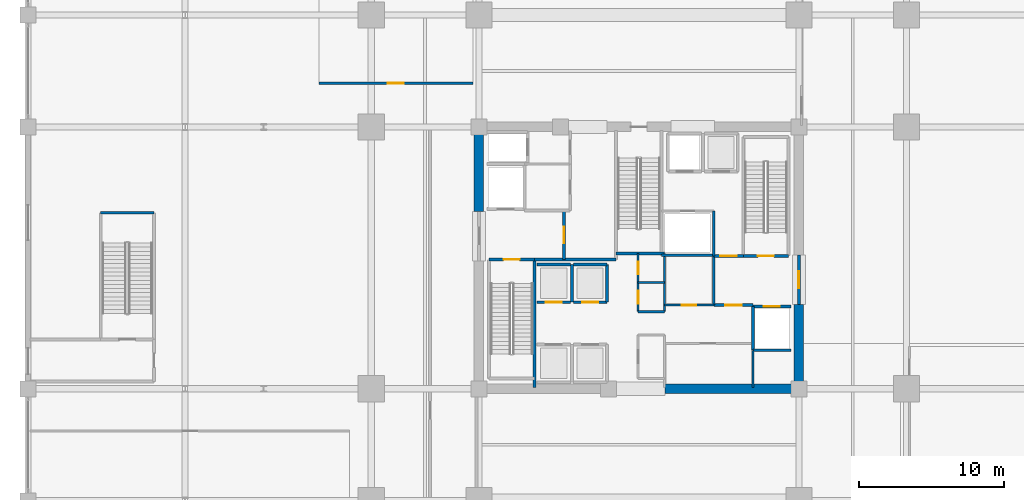
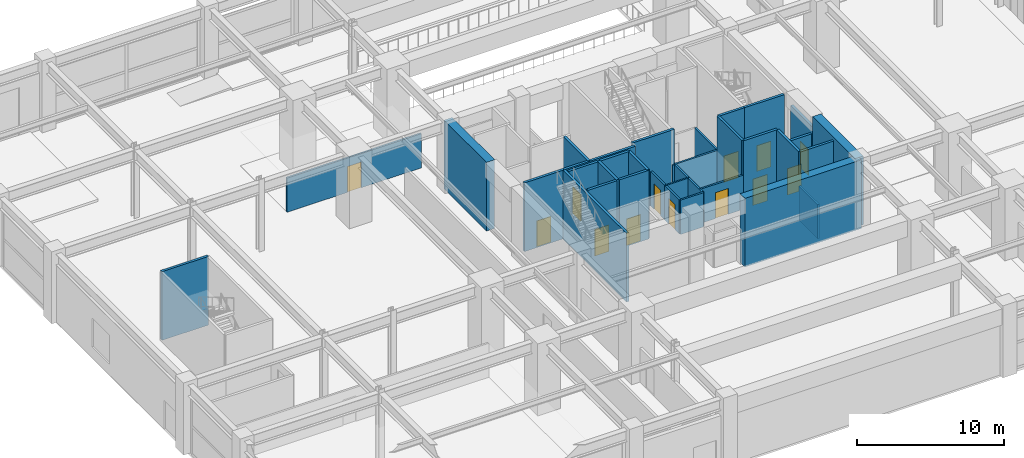
# One storey, part 31 of 41: 33 walls, 13 doors, 13 openings.
"""IFC4 building model written with IfcOpenShell, lengths in metres."""

from ifc_helpers import new_model, si_unit, direction, frame, frame_2d, origin, place, context, subcontext, project, spatial, rectangle, extrude, material, layer, layer_set, type_object, element, fill, save


model = new_model("IFC4")

# Units and contexts
model_context = context("Model", 3, precision=1e-05, world=origin(), true_north=direction((0.0, 1.0)))
body_context = subcontext(model_context, "Body", "Model", "MODEL_VIEW")
ifc_project = project(units=[si_unit("LENGTHUNIT", "METRE"), si_unit("AREAUNIT", "SQUARE_METRE"), si_unit("VOLUMEUNIT", "CUBIC_METRE"), si_unit("PLANEANGLEUNIT", "RADIAN"), si_unit("MASSUNIT", "GRAM", prefix="KILO")], contexts=[model_context])

# Site, building, storey
site_placement = place(None, origin())
site = spatial("IfcSite", under=ifc_project, at=site_placement, CompositionType="ELEMENT")
building_placement = place(site_placement, origin())
building = spatial("IfcBuilding", under=site, at=building_placement, Name="Kovane Verandah Tower", CompositionType="ELEMENT")
storey_placement = place(building_placement, origin())
storey = spatial("IfcBuildingStorey", under=building, at=storey_placement, Name="L00", CompositionType="ELEMENT", Elevation=0.0)

# Walls
ifc_material_1 = material(Name="Fire-Rated Gypsum Stud Partition", Category="gypsum")
ifc_layer_1 = layer(ifc_material_1, 0.14990234375)
ifc_layer_set_1 = layer_set([ifc_layer_1], Name="Fire-Rated Gypsum Stud Partition")
wall_type_1 = type_object("IfcWallType", Name="WL-COR-150", PredefinedType="PARTITIONING", material=ifc_layer_set_1)
wall_1_placement = place(storey_placement, frame((39.949951171875, 23.800048828125, 0.0), z_axis=(0.0, 0.0, 1.0), x_axis=(1.0, 0.0, 0.0)))
element("IfcWall", 1, at=wall_1_placement, inside=storey, type_object=wall_type_1, Name="L00 Core Cross-Passage North Wall", PredefinedType="PARTITIONING", context=body_context, shape_type="SweptSolid", body=[
    extrude(rectangle(XDim=1.81005859375, YDim=0.14990234375, at=frame_2d((0.905029296875, 0.0))), origin(), (0.0, 0.0, 1.0), 2.85009765625),
])
wall_2_placement = place(storey_placement, frame((41.760009765625, 23.800048828125, 0.0), z_axis=(0.0, 0.0, 1.0), x_axis=(0.0, 1.0, 0.0)))
element("IfcWall", 2, at=wall_2_placement, inside=storey, type_object=wall_type_1, Name="L00 Central Core Strip Upper East Wall", PredefinedType="PARTITIONING", context=body_context, shape_type="SweptSolid", body=[
    extrude(rectangle(XDim=4.0, YDim=0.14990234375, at=frame_2d((2.0, 0.0))), origin(), (0.0, 0.0, 1.0), 2.85009765625),
])

# Wall, opening, door
wall_3_placement = place(storey_placement, frame((39.949951171875, 23.800048828125, 0.0), z_axis=(0.0, 0.0, 1.0), x_axis=(0.0, 1.0, 0.0)))
wall_3 = element("IfcWall", 3, at=wall_3_placement, inside=storey, type_object=wall_type_1, Name="L00 Female Toilet Partition", PredefinedType="PARTITIONING", context=body_context, shape_type="SweptSolid", body=[
    extrude(rectangle(XDim=2.0, YDim=0.14990234375, at=frame_2d((1.0, 0.0))), origin(), (0.0, 0.0, 1.0), 2.85009765625),
])
opening_1_placement = place(wall_3_placement, frame((0.550048828125, 0.0, 0.0)))
opening_1 = element("IfcOpeningElement", 4, at=opening_1_placement, cuts=wall_3, Name="Opening DR-L00-036", PredefinedType="OPENING", context=body_context, shape_type="SweptSolid", body=[
    extrude(rectangle(XDim=0.89990234375, YDim=2.10009765625, at=frame_2d((0.449951171875, 1.050048828125))), frame((0.0, 0.074951171875, 0.0), z_axis=(0.0, -1.0, 0.0), x_axis=(1.0, 0.0, 0.0)), (0.0, 0.0, 1.0), 0.14990234375),
])
ifc_material_2 = material(Name="Moisture-Resistant Laminate Washroom Door", Category="wood")
door_type_1 = type_object("IfcDoorType", Name="DR-WC-900", OperationType="SINGLE_SWING_LEFT", PredefinedType="DOOR", material=ifc_material_2)
door_1_placement = place(opening_1_placement, origin())
door_1 = element("IfcDoor", 5, at=door_1_placement, inside=storey, type_object=door_type_1, Name="L00 Female Toilet Door", OperationType="SINGLE_SWING_LEFT", OverallHeight=2.10009765625, OverallWidth=0.89990234375, PredefinedType="DOOR", context=body_context, shape_type="SweptSolid", body=[
    extrude(rectangle(XDim=0.89990234375, YDim=2.10009765625, at=frame_2d((0.449951171875, 1.050048828125))), frame((0.0, 0.02490234375, 0.0), z_axis=(0.0, -1.0, 0.0), x_axis=(1.0, 0.0, 0.0)), (0.0, 0.0, 1.0), 0.050048828125),
])
fill(opening_1, door_1)

wall_4_placement = place(storey_placement, frame((39.949951171875, 25.800048828125, 0.0), z_axis=(0.0, 0.0, 1.0), x_axis=(0.0, 1.0, 0.0)))
wall_4 = element("IfcWall", 6, at=wall_4_placement, inside=storey, type_object=wall_type_1, Name="L00 Telecom and BMS Riser Room Partition", PredefinedType="PARTITIONING", context=body_context, shape_type="SweptSolid", body=[
    extrude(rectangle(XDim=2.0, YDim=0.14990234375, at=frame_2d((1.0, 0.0))), origin(), (0.0, 0.0, 1.0), 2.85009765625),
])
opening_2_placement = place(wall_4_placement, frame((0.56005859375, 0.0, 0.0)))
opening_2 = element("IfcOpeningElement", 7, at=opening_2_placement, cuts=wall_4, Name="Opening DR-L00-034", PredefinedType="OPENING", context=body_context, shape_type="SweptSolid", body=[
    extrude(rectangle(XDim=0.8798828125, YDim=2.10009765625, at=frame_2d((0.43994140625, 1.050048828125))), frame((0.0, 0.074951171875, 0.0), z_axis=(0.0, -1.0, 0.0), x_axis=(1.0, 0.0, 0.0)), (0.0, 0.0, 1.0), 0.14990234375),
])
ifc_material_3 = material(Name="Fire-Rated Steel Riser Access Door", Category="steel")
door_type_2 = type_object("IfcDoorType", Name="DR-RISER-880", OperationType="SINGLE_SWING_LEFT", PredefinedType="DOOR", material=ifc_material_3)
door_2_placement = place(opening_2_placement, origin())
door_2 = element("IfcDoor", 8, at=door_2_placement, inside=storey, type_object=door_type_2, Name="L00 Telecom and BMS Riser Room Door", OperationType="SINGLE_SWING_RIGHT", OverallHeight=2.10009765625, OverallWidth=0.8798828125, PredefinedType="DOOR", context=body_context, shape_type="SweptSolid", body=[
    extrude(rectangle(XDim=0.8798828125, YDim=2.10009765625, at=frame_2d((0.43994140625, 1.050048828125))), frame((0.0, 0.02490234375, 0.0), z_axis=(0.0, -1.0, 0.0), x_axis=(1.0, 0.0, 0.0)), (0.0, 0.0, 1.0), 0.050048828125),
])
fill(opening_2, door_2)

# Walls
wall_5_placement = place(storey_placement, frame((41.56005859375, 27.679931640625, 0.0), z_axis=(0.0, 0.0, 1.0), x_axis=(1.0, 0.0, 0.0)))
element("IfcWall", 9, at=wall_5_placement, inside=storey, type_object=wall_type_1, Name="L00 East Core Service Riser South Wall", PredefinedType="PARTITIONING", context=body_context, shape_type="SweptSolid", body=[
    extrude(rectangle(XDim=3.58984375, YDim=0.14990234375, at=frame_2d((1.794921875, 0.0))), origin(), (0.0, 0.0, 1.0), 2.85009765625),
])
wall_6_placement = place(storey_placement, frame((47.85009765625, 18.60009765625, 0.0), z_axis=(0.0, 0.0, 1.0), x_axis=(0.0, 1.0, 0.0)))
element("IfcWall", 10, at=wall_6_placement, inside=storey, type_object=wall_type_1, Name="L00 East Core Support East Wall", PredefinedType="PARTITIONING", context=body_context, shape_type="SweptSolid", body=[
    extrude(rectangle(XDim=2.539794921875, YDim=0.14990234375, at=frame_2d((1.27001953125, 0.0))), origin(), (0.0, 0.0, 1.0), 2.85009765625),
])

# Wall, opening, door
wall_7_placement = place(storey_placement, frame((41.760009765625, 24.25, 0.0), z_axis=(0.0, 0.0, 1.0), x_axis=(1.0, 0.0, 0.0)))
wall_7 = element("IfcWall", 11, at=wall_7_placement, inside=storey, type_object=wall_type_1, Name="L00 Document Archive Room Partition", PredefinedType="PARTITIONING", context=body_context, shape_type="SweptSolid", body=[
    extrude(rectangle(XDim=3.389892578125, YDim=0.14990234375, at=frame_2d((1.69482421875, 0.0))), origin(), (0.0, 0.0, 1.0), 2.85009765625),
])
opening_3_placement = place(wall_7_placement, frame((1.195068359375, 0.0, 0.0)))
opening_3 = element("IfcOpeningElement", 12, at=opening_3_placement, cuts=wall_7, Name="Opening DR-L00-030", PredefinedType="OPENING", context=body_context, shape_type="SweptSolid", body=[
    extrude(rectangle(XDim=1.0, YDim=2.14990234375, at=frame_2d((0.5, 1.074951171875))), frame((0.0, 0.074951171875, 0.0), z_axis=(0.0, -1.0, 0.0), x_axis=(1.0, 0.0, 0.0)), (0.0, 0.0, 1.0), 0.14990234375),
])
ifc_material_4 = material(Name="FSC Spotted-Gum Timber Fire-Rated Office Door", Category="wood")
door_type_3 = type_object("IfcDoorType", Name="DR-OFF-1000", OperationType="SINGLE_SWING_LEFT", PredefinedType="DOOR", material=ifc_material_4)
door_3_placement = place(opening_3_placement, origin())
door_3 = element("IfcDoor", 13, at=door_3_placement, inside=storey, type_object=door_type_3, Name="L00 Document Archive Room Door", OperationType="SINGLE_SWING_RIGHT", OverallHeight=2.14990234375, OverallWidth=1.0, PredefinedType="DOOR", context=body_context, shape_type="SweptSolid", body=[
    extrude(rectangle(XDim=1.0, YDim=2.14990234375, at=frame_2d((0.5, 1.074951171875))), frame((0.0, 0.02490234375, 0.0), z_axis=(0.0, -1.0, 0.0), x_axis=(1.0, 0.0, 0.0)), (0.0, 0.0, 1.0), 0.050048828125),
])
fill(opening_3, door_3)

# Wall
wall_8_placement = place(storey_placement, frame((45.14990234375, 27.6201171875, 0.0), z_axis=(0.0, 0.0, 1.0), x_axis=(0.0, 1.0, 0.0)))
element("IfcWall", 14, at=wall_8_placement, inside=storey, type_object=wall_type_1, Name="L00 East Core Service Riser East Wall", PredefinedType="PARTITIONING", context=body_context, shape_type="SweptSolid", body=[
    extrude(rectangle(XDim=3.099853515625, YDim=0.14990234375, at=frame_2d((1.5498046875, 0.0))), origin(), (0.0, 0.0, 1.0), 2.85009765625),
])

# Wall, opening, door
wall_9_placement = place(storey_placement, frame((18.0, 39.5, 0.0), z_axis=(0.0, 0.0, 1.0), x_axis=(1.0, 0.0, 0.0)))
wall_9 = element("IfcWall", 15, at=wall_9_placement, inside=storey, type_object=wall_type_1, Name="L00 Fire Control Centre Corridor Partition", PredefinedType="PARTITIONING", context=body_context, shape_type="SweptSolid", body=[
    extrude(rectangle(XDim=10.60009765625, YDim=0.14990234375, at=frame_2d((5.300048828125, 0.0))), origin(), (0.0, 0.0, 1.0), 2.85009765625),
])
opening_4_placement = place(wall_9_placement, frame((4.75, 0.0, 0.0)))
opening_4 = element("IfcOpeningElement", 16, at=opening_4_placement, cuts=wall_9, Name="Opening DR-L00-028", PredefinedType="OPENING", context=body_context, shape_type="SweptSolid", body=[
    extrude(rectangle(XDim=1.10009765625, YDim=2.14990234375, at=frame_2d((0.550048828125, 1.074951171875))), frame((0.0, 0.074951171875, 0.0), z_axis=(0.0, -1.0, 0.0), x_axis=(1.0, 0.0, 0.0)), (0.0, 0.0, 1.0), 0.14990234375),
])
ifc_material_5 = material(Name="Fire-Rated Steel Exit Door", Category="steel")
door_type_4 = type_object("IfcDoorType", Name="DR-STAIR-1100", OperationType="SINGLE_SWING_LEFT", PredefinedType="DOOR", material=ifc_material_5)
door_4_placement = place(opening_4_placement, origin())
door_4 = element("IfcDoor", 17, at=door_4_placement, inside=storey, type_object=door_type_4, Name="L00 Fire Control Centre Entrance Door", OperationType="SINGLE_SWING_RIGHT", OverallHeight=2.14990234375, OverallWidth=1.10009765625, PredefinedType="DOOR", context=body_context, shape_type="SweptSolid", body=[
    extrude(rectangle(XDim=1.10009765625, YDim=2.14990234375, at=frame_2d((0.550048828125, 1.074951171875))), frame((0.0, 0.02490234375, 0.0), z_axis=(0.0, -1.0, 0.0), x_axis=(1.0, 0.0, 0.0)), (0.0, 0.0, 1.0), 0.050048828125),
])
fill(opening_4, door_4)

# Walls
ifc_material_6 = material(Name="Concrete C80/95", Category="concrete")
ifc_layer_2 = layer(ifc_material_6, 0.64990234375)
ifc_layer_set_2 = layer_set([ifc_layer_2], Name="Concrete C80/95")
wall_type_2 = type_object("IfcWallType", Name="WL-CORE-650", PredefinedType="SHEAR", material=ifc_layer_set_2)
wall_10_placement = place(storey_placement, frame((41.800048828125, 18.5, 0.0), z_axis=(0.0, 0.0, 1.0), x_axis=(1.0, 0.0, 0.0)))
element("IfcWall", 18, at=wall_10_placement, inside=storey, type_object=wall_type_2, Name="L00 Core Shear Wall CS-2", PredefinedType="SHEAR", context=body_context, shape_type="SweptSolid", body=[
    extrude(rectangle(XDim=9.199951171875, YDim=0.64990234375, at=frame_2d((4.60009765625, 0.0))), origin(), (0.0, 0.0, 1.0), 5.719970703125),
])
for number, where, z_axis, x_axis, name in (
    (19, (29.0, 30.699951171875, 0.0), (0.0, 0.0, 1.0), (0.0, 1.0, 0.0), "L00 Core Shear Wall CW-2"),
    (20, (51.0, 18.5, 0.0), (0.0, 0.0, 1.0), (0.0, 1.0, 0.0), "L00 Core Shear Wall CE-1"),
):
    element("IfcWall", number, at=place(storey_placement, frame(where, z_axis=z_axis, x_axis=x_axis)), inside=storey, type_object=wall_type_2, Name=name, PredefinedType="SHEAR", context=body_context, shape_type="SweptSolid", body=[
        extrude(rectangle(XDim=5.800048828125, YDim=0.64990234375, at=frame_2d((2.89990234375, 0.0))), origin(), (0.0, 0.0, 1.0), 5.719970703125),
    ])

# Wall, opening, door
ifc_material_7 = material(Name="Concrete C45/55 Fire Wall", Category="concrete")
ifc_layer_3 = layer(ifc_material_7, 0.199951171875)
ifc_layer_set_3 = layer_set([ifc_layer_3], Name="Concrete C45/55 Fire Wall")
wall_type_3 = type_object("IfcWallType", Name="WL-FFL-200", PredefinedType="PARTITIONING", material=ifc_layer_set_3)
wall_11_placement = place(storey_placement, frame((34.85009765625, 27.3798828125, 0.0), z_axis=(0.0, 0.0, 1.0), x_axis=(0.0, 1.0, 0.0)))
wall_11 = element("IfcWall", 21, at=wall_11_placement, inside=storey, type_object=wall_type_3, Name="W-L00-FFLW-E", PredefinedType="PARTITIONING", context=body_context, shape_type="SweptSolid", body=[
    extrude(rectangle(XDim=3.3701171875, YDim=0.199951171875, at=frame_2d((1.68505859375, 0.0))), origin(), (0.0, 0.0, 1.0), 5.719970703125),
])
opening_5_placement = place(wall_11_placement, frame((1.110107421875, 0.0, 0.0)))
opening_5 = element("IfcOpeningElement", 22, at=opening_5_placement, cuts=wall_11, Name="Opening DR-L00-016", PredefinedType="OPENING", context=body_context, shape_type="SweptSolid", body=[
    extrude(rectangle(XDim=1.14990234375, YDim=2.199951171875, at=frame_2d((0.574951171875, 1.10009765625))), frame((0.0, 0.10009765625, 0.0), z_axis=(0.0, -1.0, 0.0), x_axis=(1.0, 0.0, 0.0)), (0.0, 0.0, 1.0), 0.199951171875),
])
ifc_material_8 = material(Name="Smoke-Sealed Firefighting Lobby Door", Category="steel")
door_type_5 = type_object("IfcDoorType", Name="DR-FFL-1150", OperationType="SINGLE_SWING_LEFT", PredefinedType="DOOR", material=ifc_material_8)
door_5_placement = place(opening_5_placement, origin())
door_5 = element("IfcDoor", 23, at=door_5_placement, inside=storey, type_object=door_type_5, Name="L00 West Firefighting Lobby Inner Door", OperationType="SINGLE_SWING_LEFT", OverallHeight=2.199951171875, OverallWidth=1.14990234375, PredefinedType="DOOR", context=body_context, shape_type="SweptSolid", body=[
    extrude(rectangle(XDim=1.14990234375, YDim=2.199951171875, at=frame_2d((0.574951171875, 1.10009765625))), frame((0.0, 0.02490234375, 0.0), z_axis=(0.0, -1.0, 0.0), x_axis=(1.0, 0.0, 0.0)), (0.0, 0.0, 1.0), 0.050048828125),
])
fill(opening_5, door_5)

# Walls
wall_12_placement = place(storey_placement, frame((32.820068359375, 27.3798828125, 0.0), z_axis=(0.0, 0.0, 1.0), x_axis=(1.0, 0.0, 0.0)))
element("IfcWall", 24, at=wall_12_placement, inside=storey, type_object=wall_type_3, Name="L00 West Firefighting Lobby South Fire Wall", PredefinedType="PARTITIONING", context=body_context, shape_type="SweptSolid", body=[
    extrude(rectangle(XDim=5.619873046875, YDim=0.199951171875, at=frame_2d((2.81005859375, 0.0))), origin(), (0.0, 0.0, 1.0), 5.719970703125),
])
wall_13_placement = place(storey_placement, frame((45.14990234375, 24.25, 0.0), z_axis=(0.0, 0.0, 1.0), x_axis=(0.0, 1.0, 0.0)))
element("IfcWall", 25, at=wall_13_placement, inside=storey, type_object=wall_type_3, Name="L00 East Firefighting Lobby West Fire Wall", PredefinedType="PARTITIONING", context=body_context, shape_type="SweptSolid", body=[
    extrude(rectangle(XDim=3.3701171875, YDim=0.199951171875, at=frame_2d((1.68505859375, 0.0))), origin(), (0.0, 0.0, 1.0), 5.719970703125),
])

# Wall, opening, door
wall_14_placement = place(storey_placement, frame((45.14990234375, 24.25, 0.0), z_axis=(0.0, 0.0, 1.0), x_axis=(1.0, 0.0, 0.0)))
wall_14 = element("IfcWall", 26, at=wall_14_placement, inside=storey, type_object=wall_type_3, Name="W-L00-FFLE-S", PredefinedType="PARTITIONING", context=body_context, shape_type="SweptSolid", body=[
    extrude(rectangle(XDim=2.7001953125, YDim=0.199951171875, at=frame_2d((1.35009765625, 0.0))), origin(), (0.0, 0.0, 1.0), 5.719970703125),
])
opening_6_placement = place(wall_14_placement, frame((0.77490234375, 0.0, 0.0)))
opening_6 = element("IfcOpeningElement", 27, at=opening_6_placement, cuts=wall_14, Name="Opening DR-L00-013", PredefinedType="OPENING", context=body_context, shape_type="SweptSolid", body=[
    extrude(rectangle(XDim=1.14990234375, YDim=2.199951171875, at=frame_2d((0.574951171875, 1.10009765625))), frame((0.0, 0.10009765625, 0.0), z_axis=(0.0, -1.0, 0.0), x_axis=(1.0, 0.0, 0.0)), (0.0, 0.0, 1.0), 0.199951171875),
])
door_6_placement = place(opening_6_placement, origin())
door_6 = element("IfcDoor", 28, at=door_6_placement, inside=storey, type_object=door_type_5, Name="L00 East Firefighting Lobby Inner Door", OperationType="SINGLE_SWING_RIGHT", OverallHeight=2.199951171875, OverallWidth=1.14990234375, PredefinedType="DOOR", context=body_context, shape_type="SweptSolid", body=[
    extrude(rectangle(XDim=1.14990234375, YDim=2.199951171875, at=frame_2d((0.574951171875, 1.10009765625))), frame((0.0, 0.02490234375, 0.0), z_axis=(0.0, -1.0, 0.0), x_axis=(1.0, 0.0, 0.0)), (0.0, 0.0, 1.0), 0.050048828125),
])
fill(opening_6, door_6)

wall_15_placement = place(storey_placement, frame((45.14990234375, 27.6201171875, 0.0), z_axis=(0.0, 0.0, 1.0), x_axis=(1.0, 0.0, 0.0)))
wall_15 = element("IfcWall", 29, at=wall_15_placement, inside=storey, type_object=wall_type_3, Name="W-L00-FFLE-N", PredefinedType="PARTITIONING", context=body_context, shape_type="SweptSolid", body=[
    extrude(rectangle(XDim=2.030029296875, YDim=0.199951171875, at=frame_2d((1.01513671875, 0.0))), origin(), (0.0, 0.0, 1.0), 5.719970703125),
])
opening_7_placement = place(wall_15_placement, frame((0.43994140625, 0.0, 0.0)))
opening_7 = element("IfcOpeningElement", 30, at=opening_7_placement, cuts=wall_15, Name="Opening DR-L00-014", PredefinedType="OPENING", context=body_context, shape_type="SweptSolid", body=[
    extrude(rectangle(XDim=1.14990234375, YDim=2.199951171875, at=frame_2d((0.574951171875, 1.10009765625))), frame((0.0, 0.10009765625, 0.0), z_axis=(0.0, -1.0, 0.0), x_axis=(1.0, 0.0, 0.0)), (0.0, 0.0, 1.0), 0.199951171875),
])
door_7_placement = place(opening_7_placement, origin())
door_7 = element("IfcDoor", 31, at=door_7_placement, inside=storey, type_object=door_type_5, Name="L00 East Firefighting Lobby Shuttle Link Door", OperationType="SINGLE_SWING_LEFT", OverallHeight=2.199951171875, OverallWidth=1.14990234375, PredefinedType="DOOR", context=body_context, shape_type="SweptSolid", body=[
    extrude(rectangle(XDim=1.14990234375, YDim=2.199951171875, at=frame_2d((0.574951171875, 1.10009765625))), frame((0.0, 0.02490234375, 0.0), z_axis=(0.0, -1.0, 0.0), x_axis=(1.0, 0.0, 0.0)), (0.0, 0.0, 1.0), 0.050048828125),
])
fill(opening_7, door_7)

wall_16_placement = place(storey_placement, frame((51.0, 27.699951171875, 0.0), z_axis=(0.0, 0.0, 1.0), x_axis=(0.0, -1.0, 0.0)))
wall_16 = element("IfcWall", 32, at=wall_16_placement, inside=storey, type_object=wall_type_3, Name="W-L00-FFLE-OUT", PredefinedType="PARTITIONING", context=body_context, shape_type="SweptSolid", body=[
    extrude(rectangle(XDim=3.39990234375, YDim=0.199951171875, at=frame_2d((1.699951171875, 0.0))), origin(), (0.0, 0.0, 1.0), 4.5),
])
opening_8_placement = place(wall_16_placement, frame((1.125, 0.0, 0.0)))
opening_8 = element("IfcOpeningElement", 33, at=opening_8_placement, cuts=wall_16, Name="Opening DR-L00-015", PredefinedType="OPENING", context=body_context, shape_type="SweptSolid", body=[
    extrude(rectangle(XDim=1.14990234375, YDim=2.199951171875, at=frame_2d((0.574951171875, 1.10009765625))), frame((0.0, 0.10009765625, 0.0), z_axis=(0.0, -1.0, 0.0), x_axis=(1.0, 0.0, 0.0)), (0.0, 0.0, 1.0), 0.199951171875),
])
door_8_placement = place(opening_8_placement, origin())
door_8 = element("IfcDoor", 34, at=door_8_placement, inside=storey, type_object=door_type_5, Name="L00 East Firefighting Lobby Corridor Door", OperationType="SINGLE_SWING_LEFT", OverallHeight=2.199951171875, OverallWidth=1.14990234375, PredefinedType="DOOR", context=body_context, shape_type="SweptSolid", body=[
    extrude(rectangle(XDim=1.14990234375, YDim=2.199951171875, at=frame_2d((0.574951171875, 1.10009765625))), frame((0.0, 0.02490234375, 0.0), z_axis=(0.0, -1.0, 0.0), x_axis=(1.0, 0.0, 0.0)), (0.0, 0.0, 1.0), 0.050048828125),
])
fill(opening_8, door_8)

# Wall
ifc_material_9 = material(Name="Concrete C45/55 Lift Shaft Wall", Category="concrete")
ifc_layer_4 = layer(ifc_material_9, 0.199951171875)
ifc_layer_set_4 = layer_set([ifc_layer_4], Name="Concrete C45/55 Lift Shaft Wall")
wall_type_4 = type_object("IfcWallType", Name="WL-LIFT-200", PredefinedType="SOLIDWALL", material=ifc_layer_set_4)
wall_17_placement = place(storey_placement, frame((47.85009765625, 21.14990234375, 0.0), z_axis=(0.0, 0.0, 1.0), x_axis=(1.0, 0.0, 0.0)))
element("IfcWall", 35, at=wall_17_placement, inside=storey, type_object=wall_type_4, Name="L00 Lift FL-02 S Shaft Wall", PredefinedType="SOLIDWALL", context=body_context, shape_type="SweptSolid", body=[
    extrude(rectangle(XDim=2.599853515625, YDim=0.199951171875, at=frame_2d((1.2998046875, 0.0))), origin(), (0.0, 0.0, 1.0), 5.719970703125),
])

# Wall, opening, door
wall_18_placement = place(storey_placement, frame((50.449951171875, 24.14990234375, 0.0), z_axis=(0.0, 0.0, 1.0), x_axis=(-1.0, 0.0, 0.0)))
wall_18 = element("IfcWall", 36, at=wall_18_placement, inside=storey, type_object=wall_type_4, Name="L00 Lift FL-02 N Shaft Wall", PredefinedType="SOLIDWALL", context=body_context, shape_type="SweptSolid", body=[
    extrude(rectangle(XDim=2.599853515625, YDim=0.199951171875, at=frame_2d((1.2998046875, 0.0))), origin(), (0.0, 0.0, 1.0), 4.5),
])
opening_9_placement = place(wall_18_placement, frame((0.75, 0.0, 0.0)))
opening_9 = element("IfcOpeningElement", 37, at=opening_9_placement, cuts=wall_18, Name="Opening LD-L00-002", PredefinedType="OPENING", context=body_context, shape_type="SweptSolid", body=[
    extrude(rectangle(XDim=1.10009765625, YDim=2.199951171875, at=frame_2d((0.550048828125, 1.10009765625))), frame((0.0, 0.10009765625, 0.0), z_axis=(0.0, -1.0, 0.0), x_axis=(1.0, 0.0, 0.0)), (0.0, 0.0, 1.0), 0.199951171875),
])
ifc_material_10 = material(Name="Brushed Stainless Steel Sliding Lift Landing Door", Category="steel")
door_type_6 = type_object("IfcDoorType", Name="DR-LIFT-1100", OperationType="SLIDING_TO_RIGHT", PredefinedType="DOOR", material=ifc_material_10)
door_9_placement = place(opening_9_placement, origin())
door_9 = element("IfcDoor", 38, at=door_9_placement, inside=storey, type_object=door_type_6, Name="L00 Lift FL-02 Sliding Landing Door", OperationType="SLIDING_TO_RIGHT", OverallHeight=2.199951171875, OverallWidth=1.10009765625, PredefinedType="DOOR", context=body_context, shape_type="SweptSolid", body=[
    extrude(rectangle(XDim=1.10009765625, YDim=2.199951171875, at=frame_2d((0.550048828125, 1.10009765625))), frame((0.0, 0.02490234375, 0.0), z_axis=(0.0, -1.0, 0.0), x_axis=(1.0, 0.0, 0.0)), (0.0, 0.0, 1.0), 0.050048828125),
])
fill(opening_9, door_9)

# Wall
wall_19_placement = place(storey_placement, frame((47.85009765625, 24.14990234375, 0.0), z_axis=(0.0, 0.0, 1.0), x_axis=(0.0, -1.0, 0.0)))
element("IfcWall", 39, at=wall_19_placement, inside=storey, type_object=wall_type_4, Name="L00 Lift FL-02 W Shaft Wall", PredefinedType="SOLIDWALL", context=body_context, shape_type="SweptSolid", body=[
    extrude(rectangle(XDim=3.0, YDim=0.199951171875, at=frame_2d((1.5, 0.0))), origin(), (0.0, 0.0, 1.0), 5.719970703125),
])

# Wall, opening, door
wall_20_placement = place(storey_placement, frame((33.0, 24.449951171875, 0.0), z_axis=(0.0, 0.0, 1.0), x_axis=(1.0, 0.0, 0.0)))
wall_20 = element("IfcWall", 40, at=wall_20_placement, inside=storey, type_object=wall_type_4, Name="L00 Lift PL-L3 S Shaft Wall", PredefinedType="SOLIDWALL", context=body_context, shape_type="SweptSolid", body=[
    extrude(rectangle(XDim=2.300048828125, YDim=0.199951171875, at=frame_2d((1.14990234375, 0.0))), origin(), (0.0, 0.0, 1.0), 5.719970703125),
])
opening_10_placement = place(wall_20_placement, frame((0.60009765625, 0.0, 0.0)))
opening_10 = element("IfcOpeningElement", 41, at=opening_10_placement, cuts=wall_20, Name="Opening LD-L00-007", PredefinedType="OPENING", context=body_context, shape_type="SweptSolid", body=[
    extrude(rectangle(XDim=1.10009765625, YDim=2.199951171875, at=frame_2d((0.550048828125, 1.10009765625))), frame((0.0, 0.10009765625, 0.0), z_axis=(0.0, -1.0, 0.0), x_axis=(1.0, 0.0, 0.0)), (0.0, 0.0, 1.0), 0.199951171875),
])
door_10_placement = place(opening_10_placement, origin())
door_10 = element("IfcDoor", 42, at=door_10_placement, inside=storey, type_object=door_type_6, Name="L00 Lift PL-L3 Sliding Landing Door", OperationType="SLIDING_TO_RIGHT", OverallHeight=2.199951171875, OverallWidth=1.10009765625, PredefinedType="DOOR", context=body_context, shape_type="SweptSolid", body=[
    extrude(rectangle(XDim=1.10009765625, YDim=2.199951171875, at=frame_2d((0.550048828125, 1.10009765625))), frame((0.0, 0.02490234375, 0.0), z_axis=(0.0, -1.0, 0.0), x_axis=(1.0, 0.0, 0.0)), (0.0, 0.0, 1.0), 0.050048828125),
])
fill(opening_10, door_10)

# Walls
wall_21_placement = place(storey_placement, frame((35.300048828125, 27.050048828125, 0.0), z_axis=(0.0, 0.0, 1.0), x_axis=(-1.0, 0.0, 0.0)))
element("IfcWall", 43, at=wall_21_placement, inside=storey, type_object=wall_type_4, Name="L00 Lift PL-L3 N Shaft Wall", PredefinedType="SOLIDWALL", context=body_context, shape_type="SweptSolid", body=[
    extrude(rectangle(XDim=2.300048828125, YDim=0.199951171875, at=frame_2d((1.14990234375, 0.0))), origin(), (0.0, 0.0, 1.0), 5.719970703125),
])
wall_22_placement = place(storey_placement, frame((35.39990234375, 24.449951171875, 0.0), z_axis=(0.0, 0.0, 1.0), x_axis=(0.0, 1.0, 0.0)))
element("IfcWall", 44, at=wall_22_placement, inside=storey, type_object=wall_type_4, Name="L00 Lift PL-L3 and PL-L4 Shared Shaft Wall", PredefinedType="SOLIDWALL", context=body_context, shape_type="SweptSolid", body=[
    extrude(rectangle(XDim=2.60009765625, YDim=0.199951171875, at=frame_2d((1.300048828125, 0.0))), origin(), (0.0, 0.0, 1.0), 5.719970703125),
])

# Wall, opening, door
wall_23_placement = place(storey_placement, frame((35.5, 24.449951171875, 0.0), z_axis=(0.0, 0.0, 1.0), x_axis=(1.0, 0.0, 0.0)))
wall_23 = element("IfcWall", 45, at=wall_23_placement, inside=storey, type_object=wall_type_4, Name="L00 Lift PL-L4 S Shaft Wall", PredefinedType="SOLIDWALL", context=body_context, shape_type="SweptSolid", body=[
    extrude(rectangle(XDim=2.300048828125, YDim=0.199951171875, at=frame_2d((1.14990234375, 0.0))), origin(), (0.0, 0.0, 1.0), 5.719970703125),
])
opening_11_placement = place(wall_23_placement, frame((0.60009765625, 0.0, 0.0)))
opening_11 = element("IfcOpeningElement", 46, at=opening_11_placement, cuts=wall_23, Name="Opening LD-L00-008", PredefinedType="OPENING", context=body_context, shape_type="SweptSolid", body=[
    extrude(rectangle(XDim=1.10009765625, YDim=2.199951171875, at=frame_2d((0.550048828125, 1.10009765625))), frame((0.0, 0.10009765625, 0.0), z_axis=(0.0, -1.0, 0.0), x_axis=(1.0, 0.0, 0.0)), (0.0, 0.0, 1.0), 0.199951171875),
])
door_11_placement = place(opening_11_placement, origin())
door_11 = element("IfcDoor", 47, at=door_11_placement, inside=storey, type_object=door_type_6, Name="L00 Lift PL-L4 Sliding Landing Door", OperationType="SLIDING_TO_RIGHT", OverallHeight=2.199951171875, OverallWidth=1.10009765625, PredefinedType="DOOR", context=body_context, shape_type="SweptSolid", body=[
    extrude(rectangle(XDim=1.10009765625, YDim=2.199951171875, at=frame_2d((0.550048828125, 1.10009765625))), frame((0.0, 0.02490234375, 0.0), z_axis=(0.0, -1.0, 0.0), x_axis=(1.0, 0.0, 0.0)), (0.0, 0.0, 1.0), 0.050048828125),
])
fill(opening_11, door_11)

# Walls
wall_24_placement = place(storey_placement, frame((37.800048828125, 27.050048828125, 0.0), z_axis=(0.0, 0.0, 1.0), x_axis=(-1.0, 0.0, 0.0)))
element("IfcWall", 48, at=wall_24_placement, inside=storey, type_object=wall_type_4, Name="L00 Lift PL-L4 N Shaft Wall", PredefinedType="SOLIDWALL", context=body_context, shape_type="SweptSolid", body=[
    extrude(rectangle(XDim=2.300048828125, YDim=0.199951171875, at=frame_2d((1.14990234375, 0.0))), origin(), (0.0, 0.0, 1.0), 5.719970703125),
])
wall_25_placement = place(storey_placement, frame((37.800048828125, 24.449951171875, 0.0), z_axis=(0.0, 0.0, 1.0), x_axis=(0.0, 1.0, 0.0)))
element("IfcWall", 49, at=wall_25_placement, inside=storey, type_object=wall_type_4, Name="L00 Lift PL-L4 E Shaft Wall", PredefinedType="SOLIDWALL", context=body_context, shape_type="SweptSolid", body=[
    extrude(rectangle(XDim=2.60009765625, YDim=0.199951171875, at=frame_2d((1.300048828125, 0.0))), origin(), (0.0, 0.0, 1.0), 5.719970703125),
])
ifc_material_11 = material(Name="Acoustic Fire-Rated Gypsum Partition", Category="gypsum")
ifc_layer_5 = layer(ifc_material_11, 0.1201171875)
ifc_layer_set_5 = layer_set([ifc_layer_5], Name="Acoustic Fire-Rated Gypsum Partition")
wall_type_5 = type_object("IfcWallType", Name="WL-PART-120", PredefinedType="PARTITIONING", material=ifc_layer_set_5)
wall_26_placement = place(storey_placement, frame((39.949951171875, 25.800048828125, 0.0), z_axis=(0.0, 0.0, 1.0), x_axis=(1.0, 0.0, 0.0)))
element("IfcWall", 50, at=wall_26_placement, inside=storey, type_object=wall_type_5, Name="L00 Central Core Strip Upper Dividing Partition", PredefinedType="PARTITIONING", context=body_context, shape_type="SweptSolid", body=[
    extrude(rectangle(XDim=1.81005859375, YDim=0.1201171875, at=frame_2d((0.905029296875, 0.0))), origin(), (0.0, 0.0, 1.0), 2.85009765625),
])
ifc_material_12 = material(Name="Concrete C45/55", Category="concrete")
ifc_layer_6 = layer(ifc_material_12, 0.199951171875)
ifc_layer_set_6 = layer_set([ifc_layer_6], Name="Concrete C45/55")
wall_type_6 = type_object("IfcWallType", Name="WL-SHAFT-200", PredefinedType="SOLIDWALL", material=ifc_layer_set_6)
wall_27_placement = place(storey_placement, frame((32.820068359375, 18.60009765625, 0.0), z_axis=(0.0, 0.0, 1.0), x_axis=(0.0, 1.0, 0.0)))
element("IfcWall", 51, at=wall_27_placement, inside=storey, type_object=wall_type_6, Name="W-L00-ST01-E", PredefinedType="SOLIDWALL", context=body_context, shape_type="SweptSolid", body=[
    extrude(rectangle(XDim=8.77978515625, YDim=0.199951171875, at=frame_2d((4.389892578125, 0.0))), origin(), (0.0, 0.0, 1.0), 5.719970703125),
])

# Wall, opening, door
wall_28_placement = place(storey_placement, frame((29.699951171875, 27.3798828125, 0.0), z_axis=(0.0, 0.0, 1.0), x_axis=(1.0, 0.0, 0.0)))
wall_28 = element("IfcWall", 52, at=wall_28_placement, inside=storey, type_object=wall_type_6, Name="W-L00-ST01-N", PredefinedType="SOLIDWALL", context=body_context, shape_type="SweptSolid", body=[
    extrude(rectangle(XDim=3.1201171875, YDim=0.199951171875, at=frame_2d((1.56005859375, 0.0))), origin(), (0.0, 0.0, 1.0), 5.719970703125),
])
opening_12_placement = place(wall_28_placement, frame((1.010009765625, 0.0, 0.0)))
opening_12 = element("IfcOpeningElement", 53, at=opening_12_placement, cuts=wall_28, Name="Opening DR-L00-022", PredefinedType="OPENING", context=body_context, shape_type="SweptSolid", body=[
    extrude(rectangle(XDim=1.10009765625, YDim=2.14990234375, at=frame_2d((0.550048828125, 1.074951171875))), frame((0.0, 0.10009765625, 0.0), z_axis=(0.0, -1.0, 0.0), x_axis=(1.0, 0.0, 0.0)), (0.0, 0.0, 1.0), 0.199951171875),
])
door_12_placement = place(opening_12_placement, origin())
door_12 = element("IfcDoor", 54, at=door_12_placement, inside=storey, type_object=door_type_4, Name="L00 ST-01 Fire Exit Stair Door", OperationType="SINGLE_SWING_LEFT", OverallHeight=2.14990234375, OverallWidth=1.10009765625, PredefinedType="DOOR", context=body_context, shape_type="SweptSolid", body=[
    extrude(rectangle(XDim=1.10009765625, YDim=2.14990234375, at=frame_2d((0.550048828125, 1.074951171875))), frame((0.0, 0.02490234375, 0.0), z_axis=(0.0, -1.0, 0.0), x_axis=(1.0, 0.0, 0.0)), (0.0, 0.0, 1.0), 0.050048828125),
])
fill(opening_12, door_12)

wall_29_placement = place(storey_placement, frame((47.179931640625, 27.6201171875, 0.0), z_axis=(0.0, 0.0, 1.0), x_axis=(1.0, 0.0, 0.0)))
wall_29 = element("IfcWall", 55, at=wall_29_placement, inside=storey, type_object=wall_type_6, Name="W-L00-ST02-S", PredefinedType="SOLIDWALL", context=body_context, shape_type="SweptSolid", body=[
    extrude(rectangle(XDim=3.1201171875, YDim=0.199951171875, at=frame_2d((1.56005859375, 0.0))), origin(), (0.0, 0.0, 1.0), 5.719970703125),
])
opening_13_placement = place(wall_29_placement, frame((1.010009765625, 0.0, 0.0)))
opening_13 = element("IfcOpeningElement", 56, at=opening_13_placement, cuts=wall_29, Name="Opening DR-L00-023", PredefinedType="OPENING", context=body_context, shape_type="SweptSolid", body=[
    extrude(rectangle(XDim=1.10009765625, YDim=2.14990234375, at=frame_2d((0.550048828125, 1.074951171875))), frame((0.0, 0.10009765625, 0.0), z_axis=(0.0, -1.0, 0.0), x_axis=(1.0, 0.0, 0.0)), (0.0, 0.0, 1.0), 0.199951171875),
])
door_13_placement = place(opening_13_placement, origin())
door_13 = element("IfcDoor", 57, at=door_13_placement, inside=storey, type_object=door_type_4, Name="L00 ST-02 Fire Exit Stair Door", OperationType="SINGLE_SWING_RIGHT", OverallHeight=2.14990234375, OverallWidth=1.10009765625, PredefinedType="DOOR", context=body_context, shape_type="SweptSolid", body=[
    extrude(rectangle(XDim=1.10009765625, YDim=2.14990234375, at=frame_2d((0.550048828125, 1.074951171875))), frame((0.0, 0.02490234375, 0.0), z_axis=(0.0, -1.0, 0.0), x_axis=(1.0, 0.0, 0.0)), (0.0, 0.0, 1.0), 0.050048828125),
])
fill(opening_13, door_13)

# Walls
wall_30_placement = place(storey_placement, frame((38.43994140625, 27.800048828125, 0.0), z_axis=(0.0, 0.0, 1.0), x_axis=(1.0, 0.0, 0.0)))
element("IfcWall", 58, at=wall_30_placement, inside=storey, type_object=wall_type_6, Name="W-L00-ST03-S", PredefinedType="SOLIDWALL", context=body_context, shape_type="SweptSolid", body=[
    extrude(rectangle(XDim=3.320068359375, YDim=0.199951171875, at=frame_2d((1.66015625, 0.0))), origin(), (0.0, 0.0, 1.0), 5.719970703125),
])
wall_31_placement = place(storey_placement, frame((3.0, 30.60009765625, 0.0), z_axis=(0.0, 0.0, 1.0), x_axis=(1.0, 0.0, 0.0)))
element("IfcWall", 59, at=wall_31_placement, inside=storey, type_object=wall_type_6, Name="W-L00-ST-04-N", PredefinedType="SOLIDWALL", context=body_context, shape_type="SweptSolid", body=[
    extrude(rectangle(XDim=3.659912109375, YDim=0.199951171875, at=frame_2d((1.830078125, 0.0))), origin(), (0.0, 0.0, 1.0), 5.719970703125),
])

save(model, "model.ifc")
